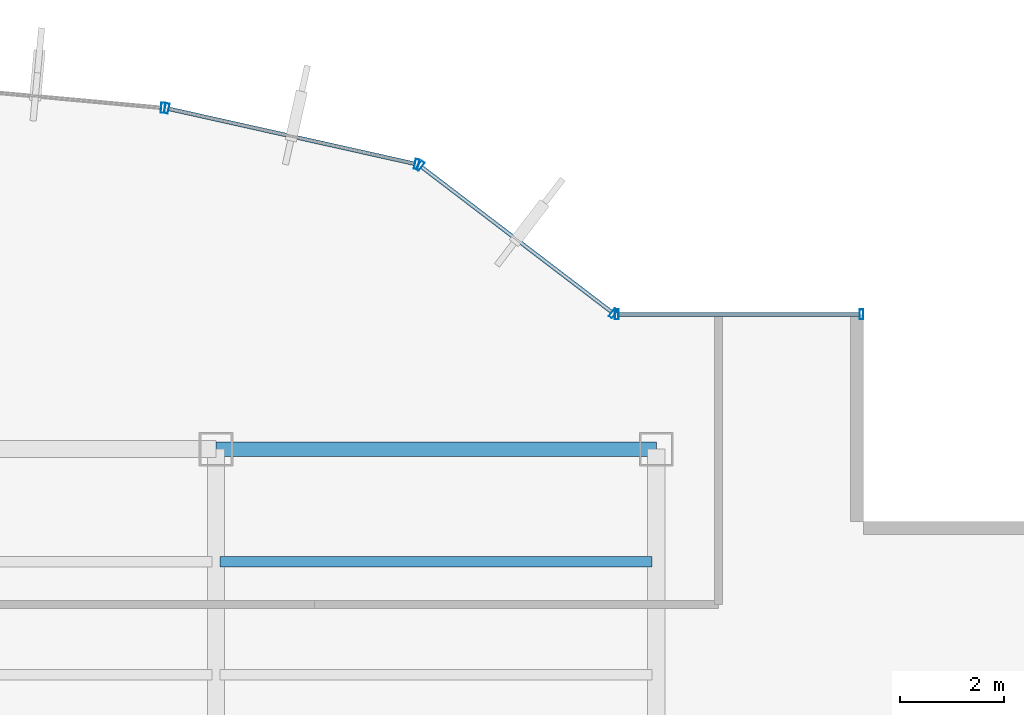
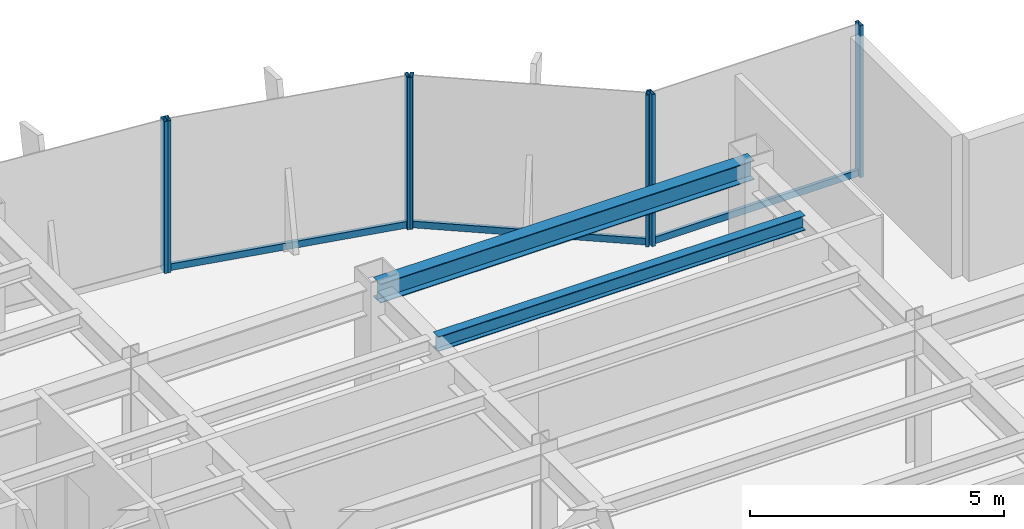
# One storey, part 17 of 25: 10 members, 2 beams, 4 elements without a shape of their own.
"""IFC4 building model written with IfcOpenShell, lengths in metres."""

import ifcopenshell
import ifcopenshell.guid

model = None  # the IFC model being written
_history = None  # IfcOwnerHistory: only IFC2X3 demands one
_inside = {}  # id of a spatial element -> (the spatial element, [elements in it])
_under = {}  # id of a project, library or spatial element -> (it, [spatial elements below it])
_declared = {}  # id of a project -> (the project, [libraries it declares])
_typed = {}  # id of a type object -> (the type object, [elements of that type])
_made_of = {}  # id of a material, layer set ... -> (it, [elements and type objects made of it])


def new_model(schema):
    """Start an empty IFC model of exactly this schema.

    Asked for "IFC4X3", IfcOpenShell would pick the latest addendum, in which some entities
    have other attributes; the version numbers below select the first issue.
    IFC2X3 requires an IfcOwnerHistory on every rooted entity: one is made here for all.
    """
    global model, _history
    if schema == "IFC4X3":
        model = ifcopenshell.file(schema_version=(4, 3, 0, 0))
    else:
        model = ifcopenshell.file(schema=schema)
    _inside.clear()
    _under.clear()
    _declared.clear()
    _typed.clear()
    _made_of.clear()
    _history = None
    if model.schema == "IFC2X3":
        org = make("IfcOrganization", Name="unknown")
        user = make(
            "IfcPersonAndOrganization",
            ThePerson=make("IfcPerson", FamilyName="unknown"),
            TheOrganization=org,
        )
        app = make(
            "IfcApplication",
            ApplicationDeveloper=org,
            Version="unknown",
            ApplicationFullName="unknown",
            ApplicationIdentifier="unknown",
        )
        _history = make(
            "IfcOwnerHistory",
            OwningUser=user,
            OwningApplication=app,
            ChangeAction="ADDED",
            CreationDate=0,
        )
    return model


def make(cls, **values):
    """One entity of the class cls with the attributes given. An attribute that is None is left unset."""
    return model.create_entity(
        cls, **{name: value for name, value in values.items() if value is not None}
    )


def rooted(cls, **values):
    """An entity with a GlobalId (a new one), such as an element, a storey or a relation."""
    return make(cls, GlobalId=ifcopenshell.guid.new(), OwnerHistory=_history, **values)


def si_unit(unit_type, name, prefix=None):
    """IfcSIUnit, for example si_unit("LENGTHUNIT", "METRE", prefix="MILLI")."""
    return make("IfcSIUnit", UnitType=unit_type, Prefix=prefix, Name=name)


def derived_unit(unit_type, elements):
    """IfcDerivedUnit: a product of units, each with its exponent."""
    return make(
        "IfcDerivedUnit",
        Elements=[
            make("IfcDerivedUnitElement", Unit=unit, Exponent=power)
            for unit, power in elements
        ],
        UnitType=unit_type,
    )


def assignment(units):
    """IfcUnitAssignment: the units of a project."""
    return None if units is None else make("IfcUnitAssignment", Units=units)


def point(xyz):
    """IfcCartesianPoint."""
    return None if xyz is None else make("IfcCartesianPoint", Coordinates=xyz)


def direction(xyz):
    """IfcDirection."""
    return None if xyz is None else make("IfcDirection", DirectionRatios=xyz)


def frame(location, z_axis=None, x_axis=None):
    """IfcAxis2Placement3D, a coordinate frame: its origin and axes. An axis left out is left unset."""
    return make(
        "IfcAxis2Placement3D",
        Location=point(location),
        Axis=direction(z_axis),
        RefDirection=direction(x_axis),
    )


def frame_2d(location, x_axis=None):
    """IfcAxis2Placement2D, a coordinate frame in the plane: its origin and x axis."""
    return make(
        "IfcAxis2Placement2D", Location=point(location), RefDirection=direction(x_axis)
    )


def origin():
    """The frame at (0, 0, 0) with its axes left unset."""
    return frame((0.0, 0.0, 0.0))


def origin_2d():
    """The frame at (0, 0) in the plane with its x axis left unset."""
    return frame_2d((0.0, 0.0))


def place(relative_to, where):
    """IfcLocalPlacement: puts the frame where relative to a parent placement (None: the world)."""
    return make(
        "IfcLocalPlacement", PlacementRelTo=relative_to, RelativePlacement=where
    )


def context(
    kind, dimensions, precision=None, world=None, true_north=None, identifier=None
):
    """IfcGeometricRepresentationContext, for example the 3D "Model" context."""
    return make(
        "IfcGeometricRepresentationContext",
        ContextIdentifier=identifier,
        ContextType=kind,
        CoordinateSpaceDimension=dimensions,
        Precision=precision,
        WorldCoordinateSystem=world,
        TrueNorth=true_north,
    )


def subcontext(parent, identifier, kind, view, scale=None):
    """IfcGeometricRepresentationSubContext, for example "Body" below "Model"."""
    return make(
        "IfcGeometricRepresentationSubContext",
        ContextIdentifier=identifier,
        ContextType=kind,
        ParentContext=parent,
        TargetScale=scale,
        TargetView=view,
    )


def project(units=None, contexts=None):
    """IfcProject with its units and contexts."""
    return rooted(
        "IfcProject",
        Name="project",
        RepresentationContexts=contexts,
        UnitsInContext=assignment(units),
    )


def spatial(cls, under=None, at=None, **own):
    """A site, building, storey or space (cls), placed at a placement, below another one or the project."""
    s = rooted(cls, ObjectPlacement=at, **own)
    if under is not None:
        _under.setdefault(under.id(), (under, []))[1].append(s)
    return s


def profile(cls, at=None, kind="AREA", **sizes):
    """A parametric profile (cls). Its sizes go by their IFC names, for example OverallWidth=200.0."""
    return make(cls, ProfileType=kind, Position=at, **sizes)


def hollow_rectangle(**sizes):
    """IfcRectangleHollowProfileDef."""
    return profile("IfcRectangleHollowProfileDef", **sizes)


def i_section(**sizes):
    """IfcIShapeProfileDef."""
    return profile("IfcIShapeProfileDef", **sizes)


def extrude(swept, where, along, depth):
    """IfcExtrudedAreaSolid: the profile swept, set in the frame where, extruded along a direction by depth."""
    return make(
        "IfcExtrudedAreaSolid",
        SweptArea=swept,
        Position=where,
        ExtrudedDirection=direction(along),
        Depth=depth,
    )


def shape(context_of_items, identifier, shape_type, items):
    """IfcShapeRepresentation: the items that make up one representation, for example the "Body"."""
    return make(
        "IfcShapeRepresentation",
        ContextOfItems=context_of_items,
        RepresentationIdentifier=identifier,
        RepresentationType=shape_type,
        Items=items,
    )


def source(mapping_origin, context_of_items, identifier, shape_type, items):
    """IfcRepresentationMap: a shape defined once, which mapped items show again and again."""
    return make(
        "IfcRepresentationMap",
        MappingOrigin=mapping_origin,
        MappedRepresentation=shape(context_of_items, identifier, shape_type, items),
    )


def transform(
    local_origin,
    x_axis=None,
    y_axis=None,
    z_axis=None,
    scale=None,
    scale2=None,
    scale3=None,
    uniform=True,
):
    """IfcCartesianTransformationOperator3D, or its non-uniform kind. x_axis, y_axis, z_axis: its Axis1, 2, 3."""
    if uniform:
        return make(
            "IfcCartesianTransformationOperator3D",
            Axis1=direction(x_axis),
            Axis2=direction(y_axis),
            LocalOrigin=point(local_origin),
            Scale=scale,
            Axis3=direction(z_axis),
        )
    return make(
        "IfcCartesianTransformationOperator3DnonUniform",
        Axis1=direction(x_axis),
        Axis2=direction(y_axis),
        LocalOrigin=point(local_origin),
        Scale=scale,
        Axis3=direction(z_axis),
        Scale2=scale2,
        Scale3=scale3,
    )


def mapped(mapping_source, mapping_target):
    """IfcMappedItem: shows the shape of a source again, moved by a transform."""
    return make(
        "IfcMappedItem", MappingSource=mapping_source, MappingTarget=mapping_target
    )


def material(Name=None, Category=None):
    """IfcMaterial."""
    return make("IfcMaterial", Name=Name, Category=Category)


def material_profile(
    of_material, cross_section, Name=None, Category=None, Priority=None
):
    """IfcMaterialProfile: a cross section and its material."""
    return make(
        "IfcMaterialProfile",
        Name=Name,
        Material=of_material,
        Profile=cross_section,
        Priority=Priority,
        Category=Category,
    )


def profile_set(profiles, Name=None, composite=None):
    """IfcMaterialProfileSet."""
    return make(
        "IfcMaterialProfileSet",
        Name=Name,
        MaterialProfiles=profiles,
        CompositeProfile=composite,
    )


def made_of(thing, what):
    """Note that an element or type object is made of a material, layer set ...; save() writes the relation."""
    if what is not None:
        _made_of.setdefault(what.id(), (what, []))[1].append(thing)
    return thing


def type_object(cls, material=None, **own):
    """A type object (cls), such as IfcWallType, which elements share."""
    return made_of(rooted(cls, **own), material)


def element(
    cls,
    number,
    at=None,
    inside=None,
    cuts=None,
    type_object=None,
    material=None,
    context=None,
    identifier="Body",
    shape_type=None,
    held_by="IfcProductDefinitionShape",
    body=None,
    shapes=None,
    **own,
):
    """One element of the class cls, such as IfcWall. Its Tag is "e" and its number.

    at: its placement. inside: the storey or other place that contains it. cuts: it is an
    opening in that element (IfcRelVoidsElement). A single representation is given by context,
    identifier, shape_type and body (its items); several are given by shapes. held_by: the class
    of the entity that holds the representations. save() writes the other relations.
    """
    e = rooted(cls, Tag="e%d" % number, ObjectPlacement=at, **own)
    if body is not None:
        shapes = [shape(context, identifier, shape_type, body)]
    if shapes is not None:
        e.Representation = make(held_by, Representations=shapes)
    if inside is not None:
        _inside.setdefault(inside.id(), (inside, []))[1].append(e)
    if cuts is not None:
        rooted(
            "IfcRelVoidsElement", RelatingBuildingElement=cuts, RelatedOpeningElement=e
        )
    if type_object is not None:
        _typed.setdefault(type_object.id(), (type_object, []))[1].append(e)
    return made_of(e, material)


def aggregate(whole, parts):
    """IfcRelAggregates: a whole, such as a stair, and the parts it consists of."""
    return rooted("IfcRelAggregates", RelatingObject=whole, RelatedObjects=parts)


def save(model, path):
    """Write the relations noted so far, then the file.

    IfcRelAggregates (storeys below a building ...), IfcRelContainedInSpatialStructure (elements
    in a storey), IfcRelDefinesByType, IfcRelAssociatesMaterial and IfcRelDeclares: one each for
    every whole, place, type object, material and project.
    """
    for whole, parts in _under.values():
        aggregate(whole, parts)
    for where, things in _inside.values():
        rooted(
            "IfcRelContainedInSpatialStructure",
            RelatedElements=things,
            RelatingStructure=where,
        )
    for kind, things in _typed.values():
        rooted("IfcRelDefinesByType", RelatedObjects=things, RelatingType=kind)
    for what, things in _made_of.values():
        rooted("IfcRelAssociatesMaterial", RelatedObjects=things, RelatingMaterial=what)
    for by, libraries in _declared.values():
        rooted("IfcRelDeclares", RelatingContext=by, RelatedDefinitions=libraries)
    model.write(path)


model = new_model("IFC4")

# Units and contexts
model_context = context("Model", 3, precision=1e-05, world=origin(), true_north=direction((0.0, 1.0)))
body_context = subcontext(model_context, "Body", "Model", "MODEL_VIEW")
ifc_project = project(units=[si_unit("LENGTHUNIT", "METRE"), si_unit("AREAUNIT", "SQUARE_METRE"), si_unit("VOLUMEUNIT", "CUBIC_METRE"), si_unit("PLANEANGLEUNIT", "RADIAN"), si_unit("MASSUNIT", "GRAM", prefix="KILO"), derived_unit("THERMALTRANSMITTANCEUNIT", [(si_unit("POWERUNIT", "WATT"), 1), (si_unit("LENGTHUNIT", "METRE"), -2), (si_unit("THERMODYNAMICTEMPERATUREUNIT", "KELVIN"), -1)])], contexts=[model_context])

# Site, building, storey
site_placement = place(None, origin())
site = spatial("IfcSite", under=ifc_project, at=site_placement, CompositionType="ELEMENT")
building_placement = place(site_placement, origin())
building = spatial("IfcBuilding", under=site, at=building_placement, Name="Skarnbrae Concourse Arena and Tower", CompositionType="ELEMENT")
storey_placement = place(building_placement, frame((0.0, 0.0, 147.89990234375)))
storey = spatial("IfcBuildingStorey", under=building, at=storey_placement, Name="L37", CompositionType="ELEMENT", Elevation=147.89990234375)

# Beams
ifc_material_1 = material(Name="Steel CSA G40.21 350W", Category="steel")
ifc_material_profile_1 = material_profile(ifc_material_1, i_section(OverallWidth=0.280029296875, OverallDepth=0.462890625, WebThickness=0.0107421875, FlangeThickness=0.017333984375, at=origin_2d()), Name="W460X113")
ifc_profile_set_1 = profile_set([ifc_material_profile_1], Name="Steel CSA G40.21 350W")
beam_type_1 = type_object("IfcBeamType", Name="BM-SPAN-W460X113", PredefinedType="SPANDREL", material=ifc_profile_set_1)
shared_shape_1 = source(origin(), body_context, "Body", "SweptSolid", [
    extrude(i_section(OverallWidth=0.280029296875, OverallDepth=0.462890625, WebThickness=0.0107421875, FlangeThickness=0.017333984375, at=origin_2d()), origin(), (0.0, 0.0, 1.0), 8.5),
])
beam_1_placement = place(storey_placement, frame((33.5, 34.39990234375, 3.168701171875), z_axis=(1.0, 0.0, 0.0), x_axis=(0.0, 1.0, 0.0)))
element("IfcBeam", 1, at=beam_1_placement, inside=storey, type_object=beam_type_1, Name="L37 Perimeter spandrel Y34.4-5", PredefinedType="SPANDREL", context=body_context, shape_type="MappedRepresentation", body=[
    mapped(shared_shape_1, transform((0.0, 0.0, 0.0))),
])
ifc_material_profile_2 = material_profile(ifc_material_1, i_section(OverallWidth=0.205078125, OverallDepth=0.35400390625, WebThickness=0.009521484375, FlangeThickness=0.016845703125, at=origin_2d()), Name="W360X79")
ifc_profile_set_2 = profile_set([ifc_material_profile_2], Name="Steel CSA G40.21 350W")
beam_type_2 = type_object("IfcBeamType", Name="BM-JOIST-W360X79", PredefinedType="JOIST", material=ifc_profile_set_2)
shared_shape_2 = source(origin(), body_context, "Body", "SweptSolid", [
    extrude(i_section(OverallWidth=0.205078125, OverallDepth=0.35400390625, WebThickness=0.009521484375, FlangeThickness=0.016845703125, at=origin_2d()), origin(), (0.0, 0.0, 1.0), 8.33984375),
])
beam_2_placement = place(storey_placement, frame((33.580078125, 32.221923828125, 3.22314453125), z_axis=(1.0, 0.0, 0.0), x_axis=(0.0, 1.0, 0.0)))
element("IfcBeam", 2, at=beam_2_placement, inside=storey, type_object=beam_type_2, Name="L37 Secondary floor joist 3.2.5", PredefinedType="JOIST", context=body_context, shape_type="MappedRepresentation", body=[
    mapped(shared_shape_2, transform((0.0, 0.0, 0.0))),
])

# Curtain wall, members
ifc_material_2 = material(Name="Bronze anodised aluminium 6063-T6", Category="aluminium")
curtain_wall_type = type_object("IfcCurtainWallType", Name="CW-SYS-04-MIDZONE", PredefinedType="USERDEFINED", material=ifc_material_2)
curtain_wall_1_placement = place(storey_placement, origin())
curtain_wall_1 = element("IfcCurtainWall", 3, at=curtain_wall_1_placement, inside=storey, type_object=curtain_wall_type, Name="L37 Unitised curtain wall CW-L37-E07", ObjectType="UNITISED CURTAIN WALL", PredefinedType="USERDEFINED")
ifc_material_profile_3 = material_profile(ifc_material_2, hollow_rectangle(XDim=0.074951171875, YDim=0.195068359375, WallThickness=0.00439453125, at=origin_2d()), Name="ALU-MULL-75X195")
ifc_profile_set_3 = profile_set([ifc_material_profile_3], Name="Bronze anodised aluminium 6063-T6")
member_type_1 = type_object("IfcMemberType", Name="CWM-CW-04", PredefinedType="MULLION", material=ifc_profile_set_3)
shared_shape_3 = source(origin(), body_context, "Body", "SweptSolid", [
    extrude(hollow_rectangle(XDim=0.074951171875, YDim=0.195068359375, WallThickness=0.00439453125, at=origin_2d()), origin(), (0.0, 0.0, 1.0), 3.650146484375),
])
member_1_placement = place(storey_placement, frame((45.96240234375, 37.0, 0.0), z_axis=(0.0, 0.0, 1.0), x_axis=(-1.0, 0.0, 0.0)))
member_1 = element("IfcMember", 4, at=member_1_placement, type_object=member_type_1, Name="CW-L37-E07 Mullion 1", PredefinedType="MULLION", context=body_context, shape_type="MappedRepresentation", body=[
    mapped(shared_shape_3, transform((0.0, 0.0, 0.0))),
])
member_2_placement = place(storey_placement, frame((41.237548828125, 37.0, 0.0), z_axis=(0.0, 0.0, 1.0), x_axis=(-1.0, 0.0, 0.0)))
member_2 = element("IfcMember", 5, at=member_2_placement, type_object=member_type_1, Name="CW-L37-E07 Mullion 2", PredefinedType="MULLION", context=body_context, shape_type="MappedRepresentation", body=[
    mapped(shared_shape_3, transform((0.0, 0.0, 0.0))),
])

curtain_wall_2_placement = place(storey_placement, origin())
curtain_wall_2 = element("IfcCurtainWall", 6, at=curtain_wall_2_placement, inside=storey, type_object=curtain_wall_type, Name="L37 Unitised curtain wall CW-L37-E08", ObjectType="UNITISED CURTAIN WALL", PredefinedType="USERDEFINED")
member_3_placement = place(storey_placement, frame((41.170166015625, 37.022705078125, 0.0), z_axis=(0.0, 0.0, 1.0), x_axis=(-0.794956000706, 0.606667089054, 0.0)))
member_3 = element("IfcMember", 7, at=member_3_placement, type_object=member_type_1, Name="CW-L37-E08 Mullion 1", PredefinedType="MULLION", context=body_context, shape_type="MappedRepresentation", body=[
    mapped(shared_shape_3, transform((0.0, 0.0, 0.0))),
])
member_4_placement = place(storey_placement, frame((37.439208984375, 39.869873046875, 0.0), z_axis=(0.0, 0.0, 1.0), x_axis=(-0.794956000706, 0.606667089054, 0.0)))
member_4 = element("IfcMember", 8, at=member_4_placement, type_object=member_type_1, Name="CW-L37-E08 Mullion 2", PredefinedType="MULLION", context=body_context, shape_type="MappedRepresentation", body=[
    mapped(shared_shape_3, transform((0.0, 0.0, 0.0))),
])

curtain_wall_3_placement = place(storey_placement, origin())
curtain_wall_3 = element("IfcCurtainWall", 9, at=curtain_wall_3_placement, inside=storey, type_object=curtain_wall_type, Name="L37 Unitised curtain wall CW-L37-E09", ObjectType="UNITISED CURTAIN WALL", PredefinedType="USERDEFINED")
member_5_placement = place(storey_placement, frame((37.372802734375, 39.90087890625, 0.0), z_axis=(0.0, 0.0, 1.0), x_axis=(-0.975936175393, 0.218056372433, 0.0)))
member_5 = element("IfcMember", 10, at=member_5_placement, type_object=member_type_1, Name="CW-L37-E09 Mullion 1", PredefinedType="MULLION", context=body_context, shape_type="MappedRepresentation", body=[
    mapped(shared_shape_3, transform((0.0, 0.0, 0.0))),
])
member_6_placement = place(storey_placement, frame((32.548828125, 40.978759765625, 0.0), z_axis=(0.0, 0.0, 1.0), x_axis=(-0.975936175393, 0.218056372433, 0.0)))
member_6 = element("IfcMember", 11, at=member_6_placement, type_object=member_type_1, Name="CW-L37-E09 Mullion 2", PredefinedType="MULLION", context=body_context, shape_type="MappedRepresentation", body=[
    mapped(shared_shape_3, transform((0.0, 0.0, 0.0))),
])

# Curtain wall, member
curtain_wall_4_placement = place(storey_placement, origin())
curtain_wall_4 = element("IfcCurtainWall", 12, at=curtain_wall_4_placement, inside=storey, type_object=curtain_wall_type, Name="L37 Unitised curtain wall CW-L37-E10", ObjectType="UNITISED CURTAIN WALL", PredefinedType="USERDEFINED")
member_7_placement = place(storey_placement, frame((32.47509765625, 40.990234375, 0.0), z_axis=(0.0, 0.0, 1.0), x_axis=(-0.995819926016, 0.091338244731, 0.0)))
member_7 = element("IfcMember", 13, at=member_7_placement, type_object=member_type_1, Name="CW-L37-E10 Mullion 1", PredefinedType="MULLION", context=body_context, shape_type="MappedRepresentation", body=[
    mapped(shared_shape_3, transform((0.0, 0.0, 0.0))),
])
aggregate(curtain_wall_4, [member_7])

# Member
ifc_material_profile_4 = material_profile(ifc_material_2, hollow_rectangle(XDim=0.074951171875, YDim=0.159912109375, WallThickness=0.00439453125, at=origin_2d()), Name="ALU-TRAN-75X160")
ifc_profile_set_4 = profile_set([ifc_material_profile_4], Name="Bronze anodised aluminium 6063-T6")
member_type_2 = type_object("IfcMemberType", Name="CWT-CW-04", PredefinedType="USERDEFINED", material=ifc_profile_set_4)
shared_shape_4 = source(origin(), body_context, "Body", "SweptSolid", [
    extrude(hollow_rectangle(XDim=0.074951171875, YDim=0.159912109375, WallThickness=0.00439453125, at=origin_2d()), origin(), (0.0, 0.0, 1.0), 4.650146484375),
])
member_8_placement = place(storey_placement, frame((45.925048828125, 37.0, 0.080078125), z_axis=(-1.0, 0.0, 0.0), x_axis=(0.0, -1.0, 0.0)))
member_8 = element("IfcMember", 14, at=member_8_placement, type_object=member_type_2, Name="CW-L37-E07 Transom 1", ObjectType="TRANSOM", PredefinedType="USERDEFINED", context=body_context, shape_type="MappedRepresentation", body=[
    mapped(shared_shape_4, transform((0.0, 0.0, 0.0))),
])

aggregate(curtain_wall_1, [member_1, member_2, member_8])

shared_shape_5 = source(origin(), body_context, "Body", "SweptSolid", [
    extrude(hollow_rectangle(XDim=0.074951171875, YDim=0.159912109375, WallThickness=0.00439453125, at=origin_2d()), origin(), (0.0, 0.0, 1.0), 4.618408203125),
])
member_9_placement = place(storey_placement, frame((41.140380859375, 37.04541015625, 0.080078125), z_axis=(-0.794960638756, 0.606661011462, 0.0), x_axis=(-0.606661011462, -0.794960638756, 0.0)))
member_9 = element("IfcMember", 15, at=member_9_placement, type_object=member_type_2, Name="CW-L37-E08 Transom 1", ObjectType="TRANSOM", PredefinedType="USERDEFINED", context=body_context, shape_type="MappedRepresentation", body=[
    mapped(shared_shape_5, transform((0.0, 0.0, 0.0))),
])

aggregate(curtain_wall_2, [member_3, member_4, member_9])

shared_shape_6 = source(origin(), body_context, "Body", "SweptSolid", [
    extrude(hollow_rectangle(XDim=0.074951171875, YDim=0.159912109375, WallThickness=0.00439453125, at=origin_2d()), origin(), (0.0, 0.0, 1.0), 4.867919921875),
])
member_10_placement = place(storey_placement, frame((37.336181640625, 39.9091796875, 0.080078125), z_axis=(-0.975944534406, 0.218018957349, 0.0), x_axis=(-0.218018957349, -0.975944534406, 0.0)))
member_10 = element("IfcMember", 16, at=member_10_placement, type_object=member_type_2, Name="CW-L37-E09 Transom 1", ObjectType="TRANSOM", PredefinedType="USERDEFINED", context=body_context, shape_type="MappedRepresentation", body=[
    mapped(shared_shape_6, transform((0.0, 0.0, 0.0))),
])

aggregate(curtain_wall_3, [member_5, member_6, member_10])

save(model, "model.ifc")
